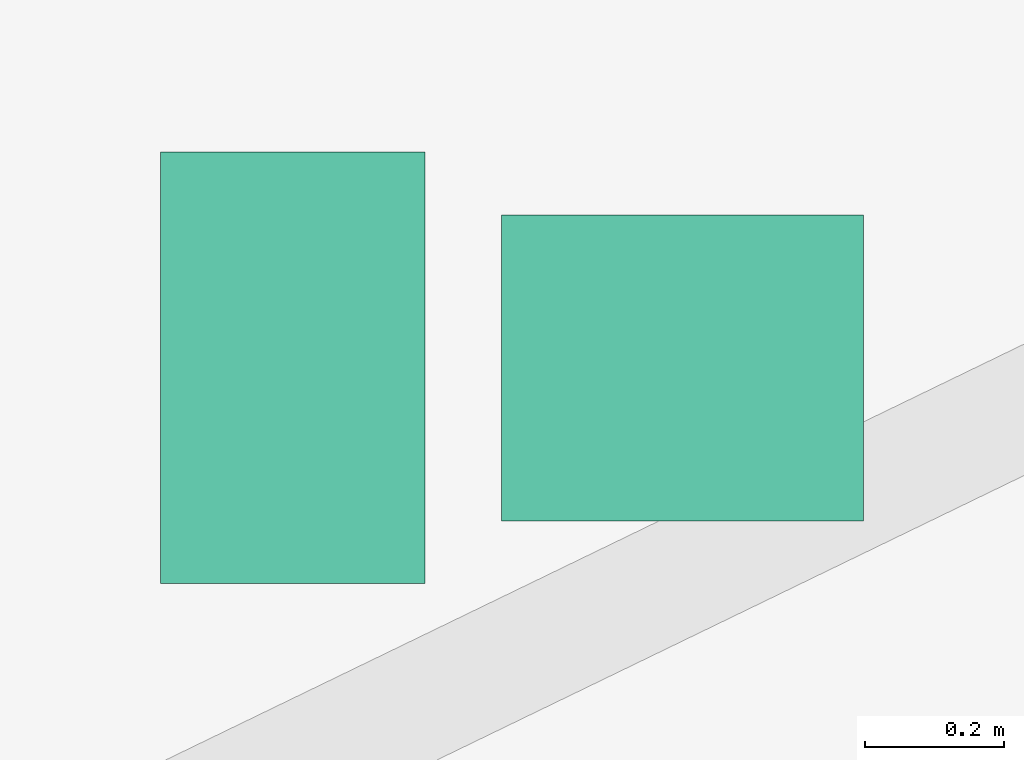
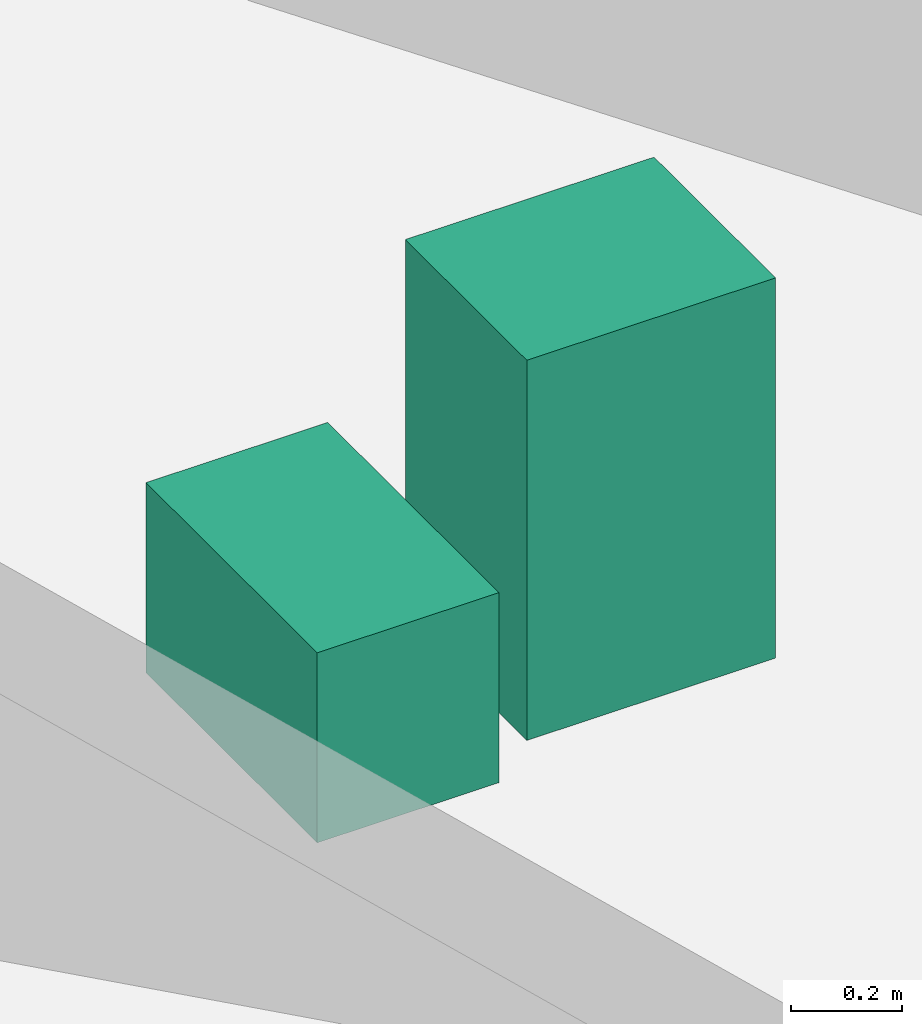
# One storey, part 11 of 11: 2 sanitary terminals.
"""IFC4 building model written with IfcOpenShell, lengths in metres."""

from ifc_helpers import new_model, si_unit, direction, frame, origin, origin_2d, place, context, subcontext, project, spatial, rectangle, extrude, source, transform, mapped, material, type_object, element, save


model = new_model("IFC4")

# Units and contexts
model_context = context("Model", 3, precision=1e-05, world=origin(), true_north=direction((0.0, 1.0)))
body_context = subcontext(model_context, "Body", "Model", "MODEL_VIEW")
ifc_project = project(units=[si_unit("LENGTHUNIT", "METRE"), si_unit("AREAUNIT", "SQUARE_METRE"), si_unit("VOLUMEUNIT", "CUBIC_METRE"), si_unit("PLANEANGLEUNIT", "RADIAN"), si_unit("MASSUNIT", "GRAM", prefix="KILO")], contexts=[model_context])

# Site, building, storey
site_placement = place(None, origin())
site = spatial("IfcSite", under=ifc_project, at=site_placement, CompositionType="ELEMENT")
building_placement = place(site_placement, origin())
building = spatial("IfcBuilding", under=site, at=building_placement, Name="Qafzar Sky-Pleat Residences", CompositionType="ELEMENT")
storey_placement = place(building_placement, frame((0.0, 0.0, 161.800048828125)))
storey = spatial("IfcBuildingStorey", under=building, at=storey_placement, Name="L48", CompositionType="ELEMENT", Elevation=161.800048828125)

# Sanitary terminals
ifc_material = material(Name="Vitreous china sanitaryware")
sanitary_terminal_type_1 = type_object("IfcSanitaryTerminalType", Name="SAN-WC-PAN", PredefinedType="TOILETPAN", material=ifc_material)
shared_shape_1 = source(origin(), body_context, "Body", "SweptSolid", [
    extrude(rectangle(XDim=0.3798828125, YDim=0.6201171875, at=origin_2d()), origin(), (0.0, 0.0, 1.0), 0.419921875),
])
sanitary_terminal_1_placement = place(storey_placement, frame((21.185302734375, 37.389892578125, 0.0), z_axis=(0.0, 0.0, 1.0), x_axis=(1.0, 0.0, 0.0)))
element("IfcSanitaryTerminal", 1, at=sanitary_terminal_1_placement, inside=storey, type_object=sanitary_terminal_type_1, Name="L48 Accessible Shared Washroom WC Pan", PredefinedType="TOILETPAN", context=body_context, shape_type="MappedRepresentation", body=[
    mapped(shared_shape_1, transform((0.0, 0.0, 0.0), x_axis=(1.0, 0.0, 0.0), y_axis=(0.0, 1.0, 0.0), z_axis=(0.0, 0.0, 1.0), scale=1.0)),
])
sanitary_terminal_type_2 = type_object("IfcSanitaryTerminalType", Name="SAN-BASIN", PredefinedType="WASHHANDBASIN", material=ifc_material)
shared_shape_2 = source(origin(), body_context, "Body", "SweptSolid", [
    extrude(rectangle(XDim=0.52001953125, YDim=0.43994140625, at=origin_2d()), origin(), (0.0, 0.0, 1.0), 0.840087890625),
])
sanitary_terminal_2_placement = place(storey_placement, frame((21.745361328125, 37.389892578125, 0.0), z_axis=(0.0, 0.0, 1.0), x_axis=(1.0, 0.0, 0.0)))
element("IfcSanitaryTerminal", 2, at=sanitary_terminal_2_placement, inside=storey, type_object=sanitary_terminal_type_2, Name="L48 Accessible Shared Washroom Pedestal Washbasin", PredefinedType="WASHHANDBASIN", context=body_context, shape_type="MappedRepresentation", body=[
    mapped(shared_shape_2, transform((0.0, 0.0, 0.0), x_axis=(1.0, 0.0, 0.0), y_axis=(0.0, 1.0, 0.0), z_axis=(0.0, 0.0, 1.0), scale=1.0)),
])

save(model, "model.ifc")
